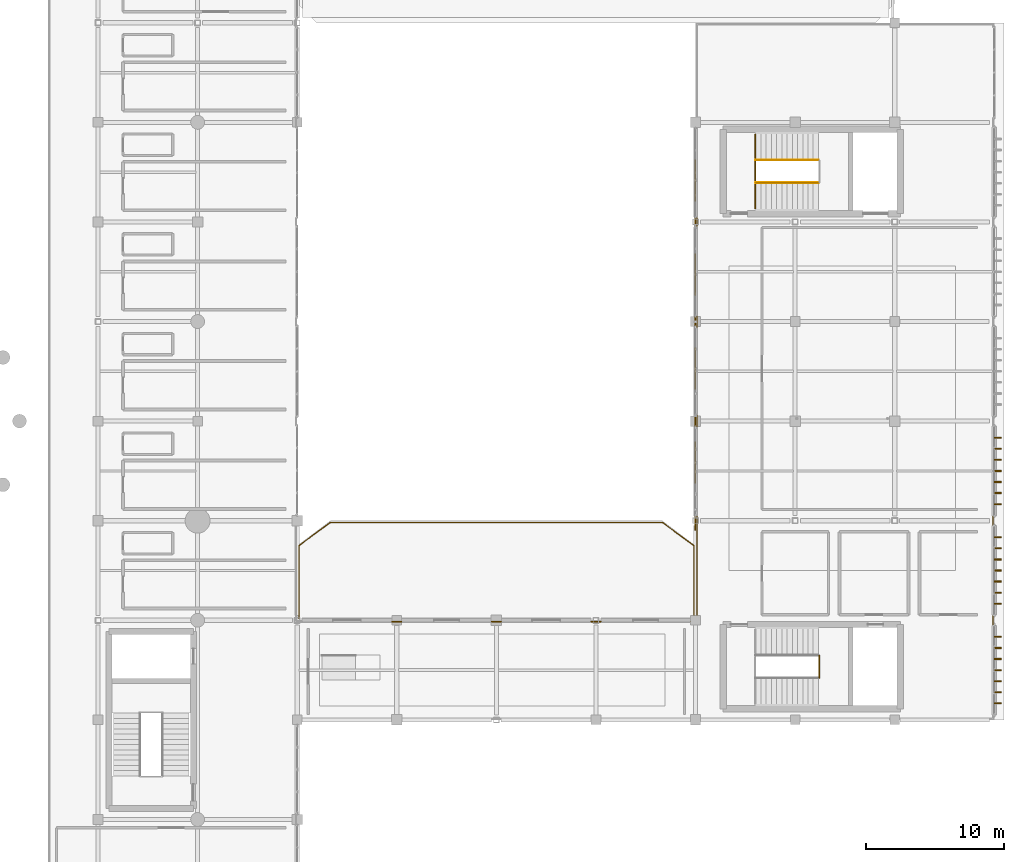
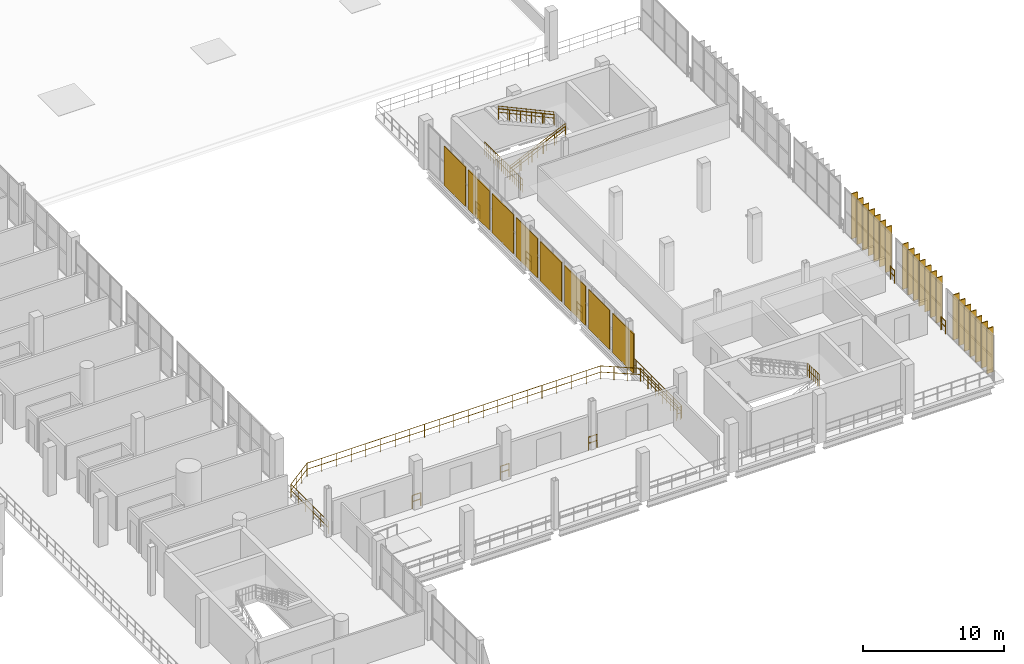
# One storey, part 128 of 130: 21 coverings, 16 railings, 8 shading devices.
"""IFC4 building model written with IfcOpenShell, lengths in metres."""

from ifc_helpers import new_model, si_unit, direction, frame, origin, origin_2d, place, context, subcontext, project, spatial, rectangle, circle, extrude, material, layer, layer_set, type_object, element, save


model = new_model("IFC4")

# Units and contexts
model_context = context("Model", 3, precision=1e-05, world=origin(), true_north=direction((0.0, 1.0)))
body_context = subcontext(model_context, "Body", "Model", "MODEL_VIEW")
ifc_project = project(units=[si_unit("LENGTHUNIT", "METRE"), si_unit("AREAUNIT", "SQUARE_METRE"), si_unit("VOLUMEUNIT", "CUBIC_METRE"), si_unit("PLANEANGLEUNIT", "RADIAN"), si_unit("MASSUNIT", "GRAM", prefix="KILO")], contexts=[model_context])

# Site, building, storey
site_placement = place(None, origin())
site = spatial("IfcSite", under=ifc_project, at=site_placement, CompositionType="ELEMENT")
building_placement = place(site_placement, origin())
building = spatial("IfcBuilding", under=site, at=building_placement, Name="Qandorah Velis Arena", CompositionType="ELEMENT")
storey_placement = place(building_placement, frame((0.0, 0.0, 9.60009765625)))
storey = spatial("IfcBuildingStorey", under=building, at=storey_placement, Name="L02", CompositionType="ELEMENT", Elevation=9.60009765625)

# Coverings
ifc_material_1 = material(Name="Champagne-bronze anodized aluminium 6063-T6", Category="aluminium")
ifc_layer_1 = layer(ifc_material_1, 0.0849609375)
ifc_layer_set_1 = layer_set([ifc_layer_1], Name="Champagne-bronze anodized aluminium 6063-T6")
covering_type = type_object("IfcCoveringType", Name="ARC-COV-FIN520", PredefinedType="CLADDING", material=ifc_layer_set_1)
for number, where, z_axis, x_axis, name in (
    (1, (173.052001953125, 44.39990234375, -0.010009765625), (0.0, 0.0, 1.0), (1.0, 0.0, 0.0), "Vertical champagne-bronze solar fin blade WNG-E-L02-00-001"),
    (2, (173.052001953125, 45.199951171875, -0.010009765625), (0.0, 0.0, 1.0), (1.0, 0.0, 0.0), "Vertical champagne-bronze solar fin blade WNG-E-L02-00-002"),
    (3, (173.052001953125, 46.0, -0.010009765625), (0.0, 0.0, 1.0), (1.0, 0.0, 0.0), "Vertical champagne-bronze solar fin blade WNG-E-L02-00-003"),
    (4, (173.052001953125, 46.800048828125, -0.010009765625), (0.0, 0.0, 1.0), (1.0, 0.0, 0.0), "Vertical champagne-bronze solar fin blade WNG-E-L02-00-004"),
    (5, (173.052001953125, 47.60009765625, -0.010009765625), (0.0, 0.0, 1.0), (1.0, 0.0, 0.0), "Vertical champagne-bronze solar fin blade WNG-E-L02-00-005"),
    (6, (173.052001953125, 48.39990234375, -0.010009765625), (0.0, 0.0, 1.0), (1.0, 0.0, 0.0), "Vertical champagne-bronze solar fin blade WNG-E-L02-00-006"),
    (7, (173.052001953125, 49.199951171875, -0.010009765625), (0.0, 0.0, 1.0), (1.0, 0.0, 0.0), "Vertical champagne-bronze solar fin blade WNG-E-L02-00-007"),
    (8, (173.052001953125, 51.60009765625, -0.010009765625), (0.0, 0.0, 1.0), (1.0, 0.0, 0.0), "Vertical champagne-bronze solar fin blade WNG-E-L02-01-001"),
    (9, (173.052001953125, 52.39990234375, -0.010009765625), (0.0, 0.0, 1.0), (1.0, 0.0, 0.0), "Vertical champagne-bronze solar fin blade WNG-E-L02-01-002"),
    (10, (173.052001953125, 53.199951171875, -0.010009765625), (0.0, 0.0, 1.0), (1.0, 0.0, 0.0), "Vertical champagne-bronze solar fin blade WNG-E-L02-01-003"),
    (11, (173.052001953125, 54.0, -0.010009765625), (0.0, 0.0, 1.0), (1.0, 0.0, 0.0), "Vertical champagne-bronze solar fin blade WNG-E-L02-01-004"),
    (12, (173.052001953125, 54.800048828125, -0.010009765625), (0.0, 0.0, 1.0), (1.0, 0.0, 0.0), "Vertical champagne-bronze solar fin blade WNG-E-L02-01-005"),
    (13, (173.052001953125, 55.60009765625, -0.010009765625), (0.0, 0.0, 1.0), (1.0, 0.0, 0.0), "Vertical champagne-bronze solar fin blade WNG-E-L02-01-006"),
    (14, (173.052001953125, 56.39990234375, -0.010009765625), (0.0, 0.0, 1.0), (1.0, 0.0, 0.0), "Vertical champagne-bronze solar fin blade WNG-E-L02-01-007"),
    (15, (173.052001953125, 58.800048828125, -0.010009765625), (0.0, 0.0, 1.0), (1.0, 0.0, 0.0), "Vertical champagne-bronze solar fin blade WNG-E-L02-02-001"),
    (16, (173.052001953125, 59.60009765625, -0.010009765625), (0.0, 0.0, 1.0), (1.0, 0.0, 0.0), "Vertical champagne-bronze solar fin blade WNG-E-L02-02-002"),
    (17, (173.052001953125, 60.39990234375, -0.010009765625), (0.0, 0.0, 1.0), (1.0, 0.0, 0.0), "Vertical champagne-bronze solar fin blade WNG-E-L02-02-003"),
    (18, (173.052001953125, 61.199951171875, -0.010009765625), (0.0, 0.0, 1.0), (1.0, 0.0, 0.0), "Vertical champagne-bronze solar fin blade WNG-E-L02-02-004"),
    (19, (173.052001953125, 62.0, -0.010009765625), (0.0, 0.0, 1.0), (1.0, 0.0, 0.0), "Vertical champagne-bronze solar fin blade WNG-E-L02-02-005"),
    (20, (173.052001953125, 62.800048828125, -0.010009765625), (0.0, 0.0, 1.0), (1.0, 0.0, 0.0), "Vertical champagne-bronze solar fin blade WNG-E-L02-02-006"),
    (21, (173.052001953125, 63.60009765625, -0.010009765625), (0.0, 0.0, 1.0), (1.0, 0.0, 0.0), "Vertical champagne-bronze solar fin blade WNG-E-L02-02-007"),
):
    element("IfcCovering", number, at=place(storey_placement, frame(where, z_axis=z_axis, x_axis=x_axis)), inside=storey, type_object=covering_type, Name=name, PredefinedType="CLADDING", context=body_context, shape_type="SweptSolid", body=[
        extrude(rectangle(XDim=0.52001953125, YDim=0.0849609375, at=origin_2d()), origin(), (0.0, 0.0, 1.0), 3.89990234375),
    ])

# Railings
ifc_material_2 = material(Name="Tempered laminated glass and stainless steel 316", Category="steel")
railing_type_1 = type_object("IfcRailingType", Name="ARC-RL-BAL1150", PredefinedType="BALUSTRADE", material=ifc_material_2)
railing_1_placement = place(storey_placement, frame((122.52001953125, 50.550048828125, 0.0)))
element("IfcRailing", 22, at=railing_1_placement, inside=storey, type_object=railing_type_1, Name="Oasis Terrace perimeter balustrade BL1", PredefinedType="BALUSTRADE", context=body_context, shape_type="SweptSolid", body=[
    extrude(circle(Radius=0.02392578125, at=origin_2d()), frame((0.0, 0.0, 1.1259765625), z_axis=(0.0, 1.0, 0.0), x_axis=(-1.0, 0.0, 0.0)), (0.0, 0.0, 1.0), 5.25),
    extrude(circle(Radius=0.02392578125, at=origin_2d()), frame((0.0, 0.0, 0.597900390625), z_axis=(0.0, 1.0, 0.0), x_axis=(-1.0, 0.0, 0.0)), (0.0, 0.0, 1.0), 5.25),
    extrude(circle(Radius=0.02392578125, at=origin_2d()), frame((0.0, 5.25, 1.1259765625), z_axis=(0.805071004265, 0.593178453833, 0.0), x_axis=(-0.593178453833, 0.805071004265, 0.0)), (0.0, 0.0, 1.0), 2.83203125),
    extrude(circle(Radius=0.02392578125, at=origin_2d()), frame((0.0, 5.25, 0.597900390625), z_axis=(0.805071004265, 0.593178453833, 0.0), x_axis=(-0.593178453833, 0.805071004265, 0.0)), (0.0, 0.0, 1.0), 2.83203125),
    extrude(circle(Radius=0.02392578125, at=origin_2d()), frame((2.280029296875, 6.929931640625, 1.1259765625), z_axis=(1.0, 0.0, 0.0), x_axis=(0.0, 1.0, 0.0)), (0.0, 0.0, 1.0), 24.0),
    extrude(circle(Radius=0.02392578125, at=origin_2d()), frame((2.280029296875, 6.929931640625, 0.597900390625), z_axis=(1.0, 0.0, 0.0), x_axis=(0.0, 1.0, 0.0)), (0.0, 0.0, 1.0), 24.0),
    extrude(circle(Radius=0.02392578125, at=origin_2d()), frame((26.280029296875, 6.929931640625, 1.1259765625), z_axis=(0.805071004265, -0.593178453833, 0.0), x_axis=(0.593178453833, 0.805071004265, 0.0)), (0.0, 0.0, 1.0), 2.83203125),
    extrude(circle(Radius=0.02392578125, at=origin_2d()), frame((26.280029296875, 6.929931640625, 0.597900390625), z_axis=(0.805071004265, -0.593178453833, 0.0), x_axis=(0.593178453833, 0.805071004265, 0.0)), (0.0, 0.0, 1.0), 2.83203125),
    extrude(circle(Radius=0.02392578125, at=origin_2d()), frame((28.56005859375, 5.25, 1.1259765625), z_axis=(0.0, -1.0, 0.0), x_axis=(1.0, 0.0, 0.0)), (0.0, 0.0, 1.0), 5.25),
    extrude(circle(Radius=0.02392578125, at=origin_2d()), frame((28.56005859375, 5.25, 0.597900390625), z_axis=(0.0, -1.0, 0.0), x_axis=(1.0, 0.0, 0.0)), (0.0, 0.0, 1.0), 5.25),
    extrude(circle(Radius=0.02099609375, at=origin_2d()), origin(), (0.0, 0.0, 1.0), 1.101806640625),
    extrude(circle(Radius=0.02099609375, at=origin_2d()), frame((0.0, 1.050048828125, 0.0)), (0.0, 0.0, 1.0), 1.101806640625),
    extrude(circle(Radius=0.02099609375, at=origin_2d()), frame((0.0, 2.10009765625, 0.0)), (0.0, 0.0, 1.0), 1.101806640625),
    extrude(circle(Radius=0.02099609375, at=origin_2d()), frame((0.0, 3.14990234375, 0.0)), (0.0, 0.0, 1.0), 1.101806640625),
    extrude(circle(Radius=0.02099609375, at=origin_2d()), frame((0.0, 4.199951171875, 0.0)), (0.0, 0.0, 1.0), 1.101806640625),
    extrude(circle(Radius=0.02099609375, at=origin_2d()), frame((0.0, 5.25, 0.0)), (0.0, 0.0, 1.0), 1.101806640625),
    extrude(circle(Radius=0.02099609375, at=origin_2d()), frame((0.760009765625, 5.81005859375, 0.0)), (0.0, 0.0, 1.0), 1.101806640625),
    extrude(circle(Radius=0.02099609375, at=origin_2d()), frame((1.52001953125, 6.369873046875, 0.0)), (0.0, 0.0, 1.0), 1.101806640625),
    extrude(circle(Radius=0.02099609375, at=origin_2d()), frame((2.280029296875, 6.929931640625, 0.0)), (0.0, 0.0, 1.0), 1.101806640625),
    extrude(circle(Radius=0.02099609375, at=origin_2d()), frame((3.47998046875, 6.929931640625, 0.0)), (0.0, 0.0, 1.0), 1.101806640625),
    extrude(circle(Radius=0.02099609375, at=origin_2d()), frame((4.679931640625, 6.929931640625, 0.0)), (0.0, 0.0, 1.0), 1.101806640625),
    extrude(circle(Radius=0.02099609375, at=origin_2d()), frame((5.880126953125, 6.929931640625, 0.0)), (0.0, 0.0, 1.0), 1.101806640625),
    extrude(circle(Radius=0.02099609375, at=origin_2d()), frame((7.080078125, 6.929931640625, 0.0)), (0.0, 0.0, 1.0), 1.101806640625),
    extrude(circle(Radius=0.02099609375, at=origin_2d()), frame((8.280029296875, 6.929931640625, 0.0)), (0.0, 0.0, 1.0), 1.101806640625),
    extrude(circle(Radius=0.02099609375, at=origin_2d()), frame((9.47998046875, 6.929931640625, 0.0)), (0.0, 0.0, 1.0), 1.101806640625),
    extrude(circle(Radius=0.02099609375, at=origin_2d()), frame((10.679931640625, 6.929931640625, 0.0)), (0.0, 0.0, 1.0), 1.101806640625),
    extrude(circle(Radius=0.02099609375, at=origin_2d()), frame((11.880126953125, 6.929931640625, 0.0)), (0.0, 0.0, 1.0), 1.101806640625),
    extrude(circle(Radius=0.02099609375, at=origin_2d()), frame((13.080078125, 6.929931640625, 0.0)), (0.0, 0.0, 1.0), 1.101806640625),
    extrude(circle(Radius=0.02099609375, at=origin_2d()), frame((14.280029296875, 6.929931640625, 0.0)), (0.0, 0.0, 1.0), 1.101806640625),
    extrude(circle(Radius=0.02099609375, at=origin_2d()), frame((15.47998046875, 6.929931640625, 0.0)), (0.0, 0.0, 1.0), 1.101806640625),
    extrude(circle(Radius=0.02099609375, at=origin_2d()), frame((16.679931640625, 6.929931640625, 0.0)), (0.0, 0.0, 1.0), 1.101806640625),
    extrude(circle(Radius=0.02099609375, at=origin_2d()), frame((17.880126953125, 6.929931640625, 0.0)), (0.0, 0.0, 1.0), 1.101806640625),
    extrude(circle(Radius=0.02099609375, at=origin_2d()), frame((19.080078125, 6.929931640625, 0.0)), (0.0, 0.0, 1.0), 1.101806640625),
    extrude(circle(Radius=0.02099609375, at=origin_2d()), frame((20.280029296875, 6.929931640625, 0.0)), (0.0, 0.0, 1.0), 1.101806640625),
    extrude(circle(Radius=0.02099609375, at=origin_2d()), frame((21.47998046875, 6.929931640625, 0.0)), (0.0, 0.0, 1.0), 1.101806640625),
    extrude(circle(Radius=0.02099609375, at=origin_2d()), frame((22.679931640625, 6.929931640625, 0.0)), (0.0, 0.0, 1.0), 1.101806640625),
    extrude(circle(Radius=0.02099609375, at=origin_2d()), frame((23.880126953125, 6.929931640625, 0.0)), (0.0, 0.0, 1.0), 1.101806640625),
    extrude(circle(Radius=0.02099609375, at=origin_2d()), frame((25.080078125, 6.929931640625, 0.0)), (0.0, 0.0, 1.0), 1.101806640625),
    extrude(circle(Radius=0.02099609375, at=origin_2d()), frame((26.280029296875, 6.929931640625, 0.0)), (0.0, 0.0, 1.0), 1.101806640625),
    extrude(circle(Radius=0.02099609375, at=origin_2d()), frame((27.0400390625, 6.369873046875, 0.0)), (0.0, 0.0, 1.0), 1.101806640625),
    extrude(circle(Radius=0.02099609375, at=origin_2d()), frame((27.800048828125, 5.81005859375, 0.0)), (0.0, 0.0, 1.0), 1.101806640625),
    extrude(circle(Radius=0.02099609375, at=origin_2d()), frame((28.56005859375, 5.25, 0.0)), (0.0, 0.0, 1.0), 1.101806640625),
    extrude(circle(Radius=0.02099609375, at=origin_2d()), frame((28.56005859375, 4.199951171875, 0.0)), (0.0, 0.0, 1.0), 1.101806640625),
    extrude(circle(Radius=0.02099609375, at=origin_2d()), frame((28.56005859375, 3.14990234375, 0.0)), (0.0, 0.0, 1.0), 1.101806640625),
    extrude(circle(Radius=0.02099609375, at=origin_2d()), frame((28.56005859375, 2.10009765625, 0.0)), (0.0, 0.0, 1.0), 1.101806640625),
    extrude(circle(Radius=0.02099609375, at=origin_2d()), frame((28.56005859375, 1.050048828125, 0.0)), (0.0, 0.0, 1.0), 1.101806640625),
    extrude(circle(Radius=0.02099609375, at=origin_2d()), frame((28.56005859375, 0.0, 0.0)), (0.0, 0.0, 1.0), 1.101806640625),
])
ifc_material_3 = material(Name="Stainless steel 316", Category="steel")
railing_type_2 = type_object("IfcRailingType", Name="ARC-RL-GRD1150", PredefinedType="GUARDRAIL", material=ifc_material_3)
railing_2_placement = place(storey_placement, frame((160.14599609375, 46.239990234375, 2.099853515625)))
element("IfcRailing", 23, at=railing_2_placement, inside=storey, type_object=railing_type_2, Name="Stair ST7 well guardrail (L02)", PredefinedType="GUARDRAIL", context=body_context, shape_type="SweptSolid", body=[
    extrude(circle(Radius=0.02392578125, at=origin_2d()), frame((0.0, 0.0, 1.1259765625), z_axis=(0.0, 1.0, 0.0), x_axis=(-1.0, 0.0, 0.0)), (0.0, 0.0, 1.0), 1.6201171875),
    extrude(circle(Radius=0.02392578125, at=origin_2d()), frame((0.0, 0.0, 0.597900390625), z_axis=(0.0, 1.0, 0.0), x_axis=(-1.0, 0.0, 0.0)), (0.0, 0.0, 1.0), 1.6201171875),
    extrude(circle(Radius=0.02099609375, at=origin_2d()), origin(), (0.0, 0.0, 1.0), 1.101806640625),
    extrude(circle(Radius=0.02099609375, at=origin_2d()), frame((0.0, 0.27001953125, 0.0)), (0.0, 0.0, 1.0), 1.101806640625),
    extrude(circle(Radius=0.02099609375, at=origin_2d()), frame((0.0, 0.5400390625, 0.0)), (0.0, 0.0, 1.0), 1.101806640625),
    extrude(circle(Radius=0.02099609375, at=origin_2d()), frame((0.0, 0.81005859375, 0.0)), (0.0, 0.0, 1.0), 1.101806640625),
    extrude(circle(Radius=0.02099609375, at=origin_2d()), frame((0.0, 1.080078125, 0.0)), (0.0, 0.0, 1.0), 1.101806640625),
    extrude(circle(Radius=0.02099609375, at=origin_2d()), frame((0.0, 1.35009765625, 0.0)), (0.0, 0.0, 1.0), 1.101806640625),
    extrude(circle(Radius=0.02099609375, at=origin_2d()), frame((0.0, 1.6201171875, 0.0)), (0.0, 0.0, 1.0), 1.101806640625),
])
railing_3_placement = place(storey_placement, frame((155.510009765625, 80.159912109375, 0.0)))
element("IfcRailing", 24, at=railing_3_placement, inside=storey, type_object=railing_type_2, Name="Stair ST8 landing well-slot guardrail L02", PredefinedType="GUARDRAIL", context=body_context, shape_type="SweptSolid", body=[
    extrude(circle(Radius=0.02392578125, at=origin_2d()), frame((0.0, 0.0, 1.1259765625), z_axis=(0.0, 1.0, 0.0), x_axis=(-1.0, 0.0, 0.0)), (0.0, 0.0, 1.0), 5.380126953125),
    extrude(circle(Radius=0.02392578125, at=origin_2d()), frame((0.0, 0.0, 0.597900390625), z_axis=(0.0, 1.0, 0.0), x_axis=(-1.0, 0.0, 0.0)), (0.0, 0.0, 1.0), 5.380126953125),
    extrude(circle(Radius=0.02099609375, at=origin_2d()), origin(), (0.0, 0.0, 1.0), 1.101806640625),
    extrude(circle(Radius=0.02099609375, at=origin_2d()), frame((0.0, 0.298828125, 0.0)), (0.0, 0.0, 1.0), 1.101806640625),
    extrude(circle(Radius=0.02099609375, at=origin_2d()), frame((0.0, 0.597900390625, 0.0)), (0.0, 0.0, 1.0), 1.101806640625),
    extrude(circle(Radius=0.02099609375, at=origin_2d()), frame((0.0, 0.896728515625, 0.0)), (0.0, 0.0, 1.0), 1.101806640625),
    extrude(circle(Radius=0.02099609375, at=origin_2d()), frame((0.0, 1.195556640625, 0.0)), (0.0, 0.0, 1.0), 1.101806640625),
    extrude(circle(Radius=0.02099609375, at=origin_2d()), frame((0.0, 1.494384765625, 0.0)), (0.0, 0.0, 1.0), 1.101806640625),
    extrude(circle(Radius=0.02099609375, at=origin_2d()), frame((0.0, 1.79345703125, 0.0)), (0.0, 0.0, 1.0), 1.101806640625),
    extrude(circle(Radius=0.02099609375, at=origin_2d()), frame((0.0, 2.09228515625, 0.0)), (0.0, 0.0, 1.0), 1.101806640625),
    extrude(circle(Radius=0.02099609375, at=origin_2d()), frame((0.0, 2.39111328125, 0.0)), (0.0, 0.0, 1.0), 1.101806640625),
    extrude(circle(Radius=0.02099609375, at=origin_2d()), frame((0.0, 2.68994140625, 0.0)), (0.0, 0.0, 1.0), 1.101806640625),
    extrude(circle(Radius=0.02099609375, at=origin_2d()), frame((0.0, 2.989013671875, 0.0)), (0.0, 0.0, 1.0), 1.101806640625),
    extrude(circle(Radius=0.02099609375, at=origin_2d()), frame((0.0, 3.287841796875, 0.0)), (0.0, 0.0, 1.0), 1.101806640625),
    extrude(circle(Radius=0.02099609375, at=origin_2d()), frame((0.0, 3.586669921875, 0.0)), (0.0, 0.0, 1.0), 1.101806640625),
    extrude(circle(Radius=0.02099609375, at=origin_2d()), frame((0.0, 3.8857421875, 0.0)), (0.0, 0.0, 1.0), 1.101806640625),
    extrude(circle(Radius=0.02099609375, at=origin_2d()), frame((0.0, 4.1845703125, 0.0)), (0.0, 0.0, 1.0), 1.101806640625),
    extrude(circle(Radius=0.02099609375, at=origin_2d()), frame((0.0, 4.4833984375, 0.0)), (0.0, 0.0, 1.0), 1.101806640625),
    extrude(circle(Radius=0.02099609375, at=origin_2d()), frame((0.0, 4.7822265625, 0.0)), (0.0, 0.0, 1.0), 1.101806640625),
    extrude(circle(Radius=0.02099609375, at=origin_2d()), frame((0.0, 5.081298828125, 0.0)), (0.0, 0.0, 1.0), 1.101806640625),
    extrude(circle(Radius=0.02099609375, at=origin_2d()), frame((0.0, 5.380126953125, 0.0)), (0.0, 0.0, 1.0), 1.101806640625),
])
railing_4_placement = place(storey_placement, frame((155.550048828125, 82.030029296875, 0.0)))
element("IfcRailing", 25, at=railing_4_placement, inside=storey, type_object=railing_type_2, Name="Stair ST8 inner flight 1 guardrail (L02)", PredefinedType="GUARDRAIL", context=body_context, shape_type="SweptSolid", body=[
    extrude(circle(Radius=0.02392578125, at=origin_2d()), frame((0.0, 0.0, 1.1259765625), z_axis=(0.907474148765, 0.0, 0.420107925805), x_axis=(0.0, 1.0, 0.0)), (0.0, 0.0, 1.0), 4.998291015625),
    extrude(circle(Radius=0.02392578125, at=origin_2d()), frame((0.0, 0.0, 0.597900390625), z_axis=(0.907474148765, 0.0, 0.420107925805), x_axis=(0.0, 1.0, 0.0)), (0.0, 0.0, 1.0), 4.998291015625),
    extrude(circle(Radius=0.02099609375, at=origin_2d()), origin(), (0.0, 0.0, 1.0), 1.101806640625),
    extrude(circle(Radius=0.02099609375, at=origin_2d()), frame((0.755859375, 0.0, 0.35009765625)), (0.0, 0.0, 1.0), 1.101806640625),
    extrude(circle(Radius=0.02099609375, at=origin_2d()), frame((1.511962890625, 0.0, 0.699951171875)), (0.0, 0.0, 1.0), 1.101806640625),
    extrude(circle(Radius=0.02099609375, at=origin_2d()), frame((2.26806640625, 0.0, 1.0498046875)), (0.0, 0.0, 1.0), 1.101806640625),
    extrude(circle(Radius=0.02099609375, at=origin_2d()), frame((3.02392578125, 0.0, 1.39990234375)), (0.0, 0.0, 1.0), 1.101806640625),
    extrude(circle(Radius=0.02099609375, at=origin_2d()), frame((3.77978515625, 0.0, 1.75)), (0.0, 0.0, 1.0), 1.101806640625),
    extrude(circle(Radius=0.02099609375, at=origin_2d()), frame((4.535888671875, 0.0, 2.099853515625)), (0.0, 0.0, 1.0), 1.101806640625),
])
railing_5_placement = place(storey_placement, frame((160.0859375, 83.669921875, 2.099853515625)))
element("IfcRailing", 26, at=railing_5_placement, inside=storey, type_object=railing_type_2, Name="Stair ST8 inner flight 2 guardrail (L02)", PredefinedType="GUARDRAIL", context=body_context, shape_type="SweptSolid", body=[
    extrude(circle(Radius=0.02392578125, at=origin_2d()), frame((0.0, 0.0, 1.1259765625), z_axis=(-0.907455527081, 0.0, 0.420148148122), x_axis=(0.0, -1.0, 0.0)), (0.0, 0.0, 1.0), 4.99853515625),
    extrude(circle(Radius=0.02392578125, at=origin_2d()), frame((0.0, 0.0, 0.597900390625), z_axis=(-0.907455527081, 0.0, 0.420148148122), x_axis=(0.0, -1.0, 0.0)), (0.0, 0.0, 1.0), 4.99853515625),
    extrude(circle(Radius=0.02099609375, at=origin_2d()), origin(), (0.0, 0.0, 1.0), 1.101806640625),
    extrude(circle(Radius=0.02099609375, at=origin_2d()), frame((-0.755859375, 0.0, 0.35009765625)), (0.0, 0.0, 1.0), 1.101806640625),
    extrude(circle(Radius=0.02099609375, at=origin_2d()), frame((-1.511962890625, 0.0, 0.699951171875)), (0.0, 0.0, 1.0), 1.101806640625),
    extrude(circle(Radius=0.02099609375, at=origin_2d()), frame((-2.26806640625, 0.0, 1.050048828125)), (0.0, 0.0, 1.0), 1.101806640625),
    extrude(circle(Radius=0.02099609375, at=origin_2d()), frame((-3.02392578125, 0.0, 1.400146484375)), (0.0, 0.0, 1.0), 1.101806640625),
    extrude(circle(Radius=0.02099609375, at=origin_2d()), frame((-3.77978515625, 0.0, 1.75)), (0.0, 0.0, 1.0), 1.101806640625),
    extrude(circle(Radius=0.02099609375, at=origin_2d()), frame((-4.535888671875, 0.0, 2.10009765625)), (0.0, 0.0, 1.0), 1.101806640625),
])
for number, where, name in (
    (27, (129.25, 50.300048828125, 0.0), "Slab edge safety guardrail L02-153"),
    (28, (136.449951171875, 50.300048828125, 0.0), "Slab edge safety guardrail L02-154"),
):
    element("IfcRailing", number, at=place(storey_placement, frame(where)), inside=storey, type_object=railing_type_2, Name=name, PredefinedType="GUARDRAIL", context=body_context, shape_type="SweptSolid", body=[
        extrude(circle(Radius=0.02392578125, at=origin_2d()), frame((0.0, 0.0, 1.1259765625), z_axis=(1.0, 0.0, 0.0), x_axis=(0.0, 1.0, 0.0)), (0.0, 0.0, 1.0), 0.699951171875),
        extrude(circle(Radius=0.02392578125, at=origin_2d()), frame((0.0, 0.0, 0.597900390625), z_axis=(1.0, 0.0, 0.0), x_axis=(0.0, 1.0, 0.0)), (0.0, 0.0, 1.0), 0.699951171875),
        extrude(circle(Radius=0.02099609375, at=origin_2d()), origin(), (0.0, 0.0, 1.0), 1.101806640625),
        extrude(circle(Radius=0.02099609375, at=origin_2d()), frame((0.699951171875, 0.0, 0.0)), (0.0, 0.0, 1.0), 1.101806640625),
    ])
railing_6_placement = place(storey_placement, frame((143.64990234375, 50.300048828125, 0.0)))
element("IfcRailing", 29, at=railing_6_placement, inside=storey, type_object=railing_type_2, Name="Slab edge safety guardrail L02-155", PredefinedType="GUARDRAIL", context=body_context, shape_type="SweptSolid", body=[
    extrude(circle(Radius=0.02392578125, at=origin_2d()), frame((0.0, 0.0, 1.1259765625), z_axis=(1.0, 0.0, 0.0), x_axis=(0.0, 1.0, 0.0)), (0.0, 0.0, 1.0), 0.7001953125),
    extrude(circle(Radius=0.02392578125, at=origin_2d()), frame((0.0, 0.0, 0.597900390625), z_axis=(1.0, 0.0, 0.0), x_axis=(0.0, 1.0, 0.0)), (0.0, 0.0, 1.0), 0.7001953125),
    extrude(circle(Radius=0.02099609375, at=origin_2d()), origin(), (0.0, 0.0, 1.0), 1.101806640625),
    extrude(circle(Radius=0.02099609375, at=origin_2d()), frame((0.7001953125, 0.0, 0.0)), (0.0, 0.0, 1.0), 1.101806640625),
])
railing_7_placement = place(storey_placement, frame((150.85009765625, 50.300048828125, 0.0)))
element("IfcRailing", 30, at=railing_7_placement, inside=storey, type_object=railing_type_2, Name="Slab edge safety guardrail L02-156", PredefinedType="GUARDRAIL", context=body_context, shape_type="SweptSolid", body=[
    extrude(circle(Radius=0.02392578125, at=origin_2d()), frame((0.0, 0.0, 1.1259765625), z_axis=(1.0, 0.0, 0.0), x_axis=(0.0, 1.0, 0.0)), (0.0, 0.0, 1.0), 0.349853515625),
    extrude(circle(Radius=0.02392578125, at=origin_2d()), frame((0.0, 0.0, 0.597900390625), z_axis=(1.0, 0.0, 0.0), x_axis=(0.0, 1.0, 0.0)), (0.0, 0.0, 1.0), 0.349853515625),
    extrude(circle(Radius=0.02392578125, at=origin_2d()), frame((0.349853515625, 0.0, 1.1259765625), z_axis=(0.772928297309, 0.634493378388, 0.0), x_axis=(-0.634493378388, 0.772928297309, 0.0)), (0.0, 0.0, 1.0), 0.126953125),
    extrude(circle(Radius=0.02392578125, at=origin_2d()), frame((0.349853515625, 0.0, 0.597900390625), z_axis=(0.772928297309, 0.634493378388, 0.0), x_axis=(-0.634493378388, 0.772928297309, 0.0)), (0.0, 0.0, 1.0), 0.126953125),
    extrude(circle(Radius=0.02392578125, at=origin_2d()), frame((0.447998046875, 0.08056640625, 1.1259765625), z_axis=(0.000259748684, 0.999999966265, 0.0), x_axis=(-0.999999966265, 0.000259748684, 0.0)), (0.0, 0.0, 1.0), 7.519287109375),
    extrude(circle(Radius=0.02392578125, at=origin_2d()), frame((0.447998046875, 0.08056640625, 0.597900390625), z_axis=(0.000259748684, 0.999999966265, 0.0), x_axis=(-0.999999966265, 0.000259748684, 0.0)), (0.0, 0.0, 1.0), 7.519287109375),
    extrude(circle(Radius=0.02099609375, at=origin_2d()), origin(), (0.0, 0.0, 1.0), 1.101806640625),
    extrude(circle(Radius=0.02099609375, at=origin_2d()), frame((0.349853515625, 0.0, 0.0)), (0.0, 0.0, 1.0), 1.101806640625),
    extrude(circle(Radius=0.02099609375, at=origin_2d()), frame((0.447998046875, 0.08056640625, 0.0)), (0.0, 0.0, 1.0), 1.101806640625),
    extrude(circle(Radius=0.02099609375, at=origin_2d()), frame((0.4482421875, 1.15478515625, 0.0)), (0.0, 0.0, 1.0), 1.101806640625),
    extrude(circle(Radius=0.02099609375, at=origin_2d()), frame((0.448486328125, 2.22900390625, 0.0)), (0.0, 0.0, 1.0), 1.101806640625),
    extrude(circle(Radius=0.02099609375, at=origin_2d()), frame((0.44873046875, 3.30322265625, 0.0)), (0.0, 0.0, 1.0), 1.101806640625),
    extrude(circle(Radius=0.02099609375, at=origin_2d()), frame((0.44921875, 4.377197265625, 0.0)), (0.0, 0.0, 1.0), 1.101806640625),
    extrude(circle(Radius=0.02099609375, at=origin_2d()), frame((0.449462890625, 5.451416015625, 0.0)), (0.0, 0.0, 1.0), 1.101806640625),
    extrude(circle(Radius=0.02099609375, at=origin_2d()), frame((0.44970703125, 6.525634765625, 0.0)), (0.0, 0.0, 1.0), 1.101806640625),
    extrude(circle(Radius=0.02099609375, at=origin_2d()), frame((0.449951171875, 7.599853515625, 0.0)), (0.0, 0.0, 1.0), 1.101806640625),
])
railing_8_placement = place(storey_placement, frame((151.300048828125, 64.39990234375, 0.0)))
element("IfcRailing", 31, at=railing_8_placement, inside=storey, type_object=railing_type_2, Name="Slab edge safety guardrail L02-157", PredefinedType="GUARDRAIL", context=body_context, shape_type="SweptSolid", body=[
    extrude(circle(Radius=0.02392578125, at=origin_2d()), frame((0.0, 0.0, 1.1259765625), z_axis=(0.0, 1.0, 0.0), x_axis=(-1.0, 0.0, 0.0)), (0.0, 0.0, 1.0), 0.800048828125),
    extrude(circle(Radius=0.02392578125, at=origin_2d()), frame((0.0, 0.0, 0.597900390625), z_axis=(0.0, 1.0, 0.0), x_axis=(-1.0, 0.0, 0.0)), (0.0, 0.0, 1.0), 0.800048828125),
    extrude(circle(Radius=0.02099609375, at=origin_2d()), origin(), (0.0, 0.0, 1.0), 1.101806640625),
    extrude(circle(Radius=0.02099609375, at=origin_2d()), frame((0.0, 0.800048828125, 0.0)), (0.0, 0.0, 1.0), 1.101806640625),
])
railing_9_placement = place(storey_placement, frame((151.300048828125, 71.625, 0.0)))
element("IfcRailing", 32, at=railing_9_placement, inside=storey, type_object=railing_type_2, Name="Slab edge safety guardrail L02-158", PredefinedType="GUARDRAIL", context=body_context, shape_type="SweptSolid", body=[
    extrude(circle(Radius=0.02392578125, at=origin_2d()), frame((0.0, 0.0, 1.1259765625), z_axis=(0.0, 1.0, 0.0), x_axis=(-1.0, 0.0, 0.0)), (0.0, 0.0, 1.0), 0.75),
    extrude(circle(Radius=0.02392578125, at=origin_2d()), frame((0.0, 0.0, 0.597900390625), z_axis=(0.0, 1.0, 0.0), x_axis=(-1.0, 0.0, 0.0)), (0.0, 0.0, 1.0), 0.75),
    extrude(circle(Radius=0.02099609375, at=origin_2d()), origin(), (0.0, 0.0, 1.0), 1.101806640625),
    extrude(circle(Radius=0.02099609375, at=origin_2d()), frame((0.0, 0.75, 0.0)), (0.0, 0.0, 1.0), 1.101806640625),
])
railing_10_placement = place(storey_placement, frame((151.300048828125, 78.89990234375, 0.0)))
element("IfcRailing", 33, at=railing_10_placement, inside=storey, type_object=railing_type_2, Name="Slab edge safety guardrail L02-159", PredefinedType="GUARDRAIL", context=body_context, shape_type="SweptSolid", body=[
    extrude(circle(Radius=0.02392578125, at=origin_2d()), frame((0.0, 0.0, 1.1259765625), z_axis=(0.0, 1.0, 0.0), x_axis=(-1.0, 0.0, 0.0)), (0.0, 0.0, 1.0), 0.60009765625),
    extrude(circle(Radius=0.02392578125, at=origin_2d()), frame((0.0, 0.0, 0.597900390625), z_axis=(0.0, 1.0, 0.0), x_axis=(-1.0, 0.0, 0.0)), (0.0, 0.0, 1.0), 0.60009765625),
    extrude(circle(Radius=0.02099609375, at=origin_2d()), origin(), (0.0, 0.0, 1.0), 1.101806640625),
    extrude(circle(Radius=0.02099609375, at=origin_2d()), frame((0.0, 0.60009765625, 0.0)), (0.0, 0.0, 1.0), 1.101806640625),
])
for number, where, name in (
    (34, (172.699951171875, 57.89990234375, 0.0), "Slab edge safety guardrail L02-165"),
    (35, (172.699951171875, 50.699951171875, 0.0), "Slab edge safety guardrail L02-166"),
):
    element("IfcRailing", number, at=place(storey_placement, frame(where)), inside=storey, type_object=railing_type_2, Name=name, PredefinedType="GUARDRAIL", context=body_context, shape_type="SweptSolid", body=[
        extrude(circle(Radius=0.02392578125, at=origin_2d()), frame((0.0, 0.0, 1.1259765625), z_axis=(0.0, -1.0, 0.0), x_axis=(1.0, 0.0, 0.0)), (0.0, 0.0, 1.0), 0.599853515625),
        extrude(circle(Radius=0.02392578125, at=origin_2d()), frame((0.0, 0.0, 0.597900390625), z_axis=(0.0, -1.0, 0.0), x_axis=(1.0, 0.0, 0.0)), (0.0, 0.0, 1.0), 0.599853515625),
        extrude(circle(Radius=0.02099609375, at=origin_2d()), origin(), (0.0, 0.0, 1.0), 1.101806640625),
        extrude(circle(Radius=0.02099609375, at=origin_2d()), frame((0.0, -0.599853515625, 0.0)), (0.0, 0.0, 1.0), 1.101806640625),
    ])
railing_type_3 = type_object("IfcRailingType", Name="ARC-RL-HND920", PredefinedType="HANDRAIL", material=ifc_material_3)
railing_11_placement = place(storey_placement, frame((155.550048828125, 82.030029296875, 0.0)))
element("IfcRailing", 36, at=railing_11_placement, inside=storey, type_object=railing_type_3, Name="Stair ST8 inner handrail 1 (L02)", PredefinedType="HANDRAIL", context=body_context, shape_type="SweptSolid", body=[
    extrude(circle(Radius=0.02392578125, at=origin_2d()), frame((0.0, 0.0, 0.89599609375), z_axis=(0.907474148765, 0.0, 0.420107925805), x_axis=(0.0, 1.0, 0.0)), (0.0, 0.0, 1.0), 4.998291015625),
    extrude(circle(Radius=0.02099609375, at=origin_2d()), origin(), (0.0, 0.0, 1.0), 0.871826171875),
    extrude(circle(Radius=0.02099609375, at=origin_2d()), frame((0.9072265625, 0.0, 0.419921875)), (0.0, 0.0, 1.0), 0.871826171875),
    extrude(circle(Radius=0.02099609375, at=origin_2d()), frame((1.814453125, 0.0, 0.83984375)), (0.0, 0.0, 1.0), 0.871826171875),
    extrude(circle(Radius=0.02099609375, at=origin_2d()), frame((2.721435546875, 0.0, 1.260009765625)), (0.0, 0.0, 1.0), 0.871826171875),
    extrude(circle(Radius=0.02099609375, at=origin_2d()), frame((3.628662109375, 0.0, 1.679931640625)), (0.0, 0.0, 1.0), 0.871826171875),
    extrude(circle(Radius=0.02099609375, at=origin_2d()), frame((4.535888671875, 0.0, 2.099853515625)), (0.0, 0.0, 1.0), 0.871826171875),
])
railing_12_placement = place(storey_placement, frame((160.0859375, 83.669921875, 2.099853515625)))
element("IfcRailing", 37, at=railing_12_placement, inside=storey, type_object=railing_type_3, Name="Stair ST8 inner handrail 2 (L02)", PredefinedType="HANDRAIL", context=body_context, shape_type="SweptSolid", body=[
    extrude(circle(Radius=0.02392578125, at=origin_2d()), frame((0.0, 0.0, 0.89599609375), z_axis=(-0.907455527081, 0.0, 0.420148148122), x_axis=(0.0, -1.0, 0.0)), (0.0, 0.0, 1.0), 4.99853515625),
    extrude(circle(Radius=0.02099609375, at=origin_2d()), origin(), (0.0, 0.0, 1.0), 0.871826171875),
    extrude(circle(Radius=0.02099609375, at=origin_2d()), frame((-0.9072265625, 0.0, 0.419921875)), (0.0, 0.0, 1.0), 0.871826171875),
    extrude(circle(Radius=0.02099609375, at=origin_2d()), frame((-1.814453125, 0.0, 0.840087890625)), (0.0, 0.0, 1.0), 0.871826171875),
    extrude(circle(Radius=0.02099609375, at=origin_2d()), frame((-2.721435546875, 0.0, 1.260009765625)), (0.0, 0.0, 1.0), 0.871826171875),
    extrude(circle(Radius=0.02099609375, at=origin_2d()), frame((-3.628662109375, 0.0, 1.68017578125)), (0.0, 0.0, 1.0), 0.871826171875),
    extrude(circle(Radius=0.02099609375, at=origin_2d()), frame((-4.535888671875, 0.0, 2.10009765625)), (0.0, 0.0, 1.0), 0.871826171875),
])

# Shading devices
ifc_layer_2 = layer(ifc_material_1, 0.080078125)
ifc_layer_set_2 = layer_set([ifc_layer_2], Name="Champagne-bronze anodized aluminium 6063-T6")
shading_device_type = type_object("IfcShadingDeviceType", Name="ARC-SHD-MSH80", PredefinedType="USERDEFINED", material=ifc_layer_set_2)
for number, where, z_axis, x_axis, name in (
    (38, (151.179931640625, 58.39990234375, 0.0), (0.0, 0.0, 1.0), (1.0, 0.0, 0.0), "Oasis Court mashrabiya solar screen MSH-01"),
    (39, (151.179931640625, 61.800048828125, 0.0), (0.0, 0.0, 1.0), (1.0, 0.0, 0.0), "Oasis Court mashrabiya solar screen MSH-02"),
    (40, (151.179931640625, 65.199951171875, 0.0), (0.0, 0.0, 1.0), (1.0, 0.0, 0.0), "Oasis Court mashrabiya solar screen MSH-03"),
    (41, (151.179931640625, 68.60009765625, 0.0), (0.0, 0.0, 1.0), (1.0, 0.0, 0.0), "Oasis Court mashrabiya solar screen MSH-04"),
    (42, (151.179931640625, 72.0, 0.0), (0.0, 0.0, 1.0), (1.0, 0.0, 0.0), "Oasis Court mashrabiya solar screen MSH-05"),
    (43, (151.179931640625, 75.39990234375, 0.0), (0.0, 0.0, 1.0), (1.0, 0.0, 0.0), "Oasis Court mashrabiya solar screen MSH-06"),
    (44, (151.179931640625, 78.800048828125, 0.0), (0.0, 0.0, 1.0), (1.0, 0.0, 0.0), "Oasis Court mashrabiya solar screen MSH-07"),
    (45, (151.179931640625, 82.199951171875, 0.0), (0.0, 0.0, 1.0), (1.0, 0.0, 0.0), "Oasis Court mashrabiya solar screen MSH-08"),
):
    element("IfcShadingDevice", number, at=place(storey_placement, frame(where, z_axis=z_axis, x_axis=x_axis)), inside=storey, type_object=shading_device_type, Name=name, ObjectType="SOLAR SCREEN", PredefinedType="USERDEFINED", context=body_context, shape_type="SweptSolid", body=[
        extrude(rectangle(XDim=0.080078125, YDim=3.0, at=origin_2d()), origin(), (0.0, 0.0, 1.0), 3.39990234375),
    ])

save(model, "model.ifc")
